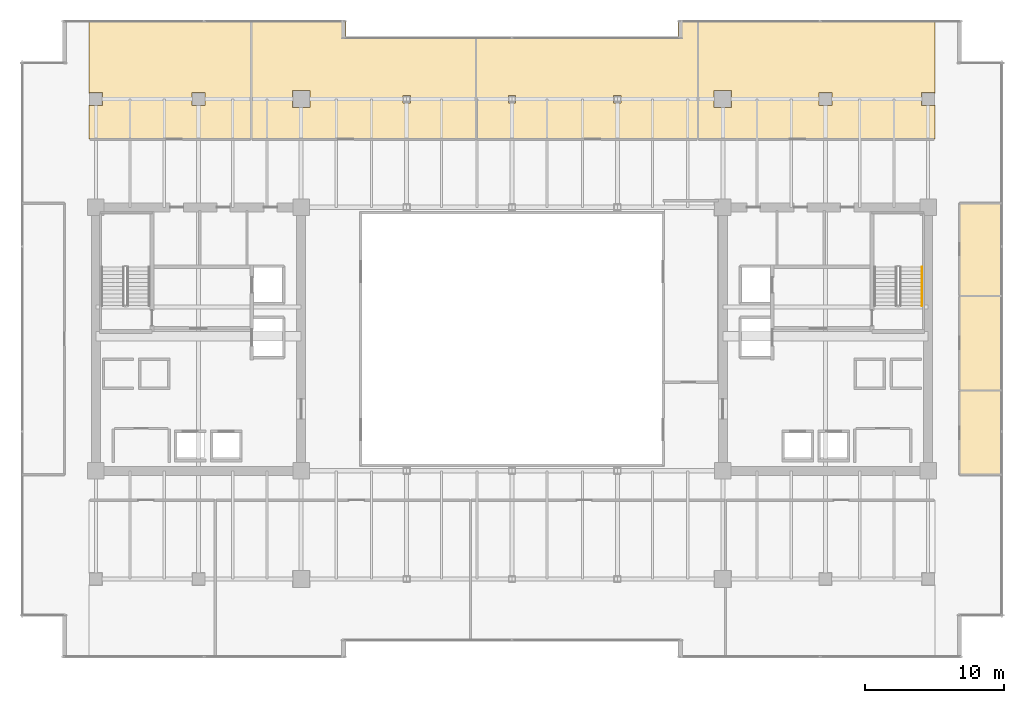
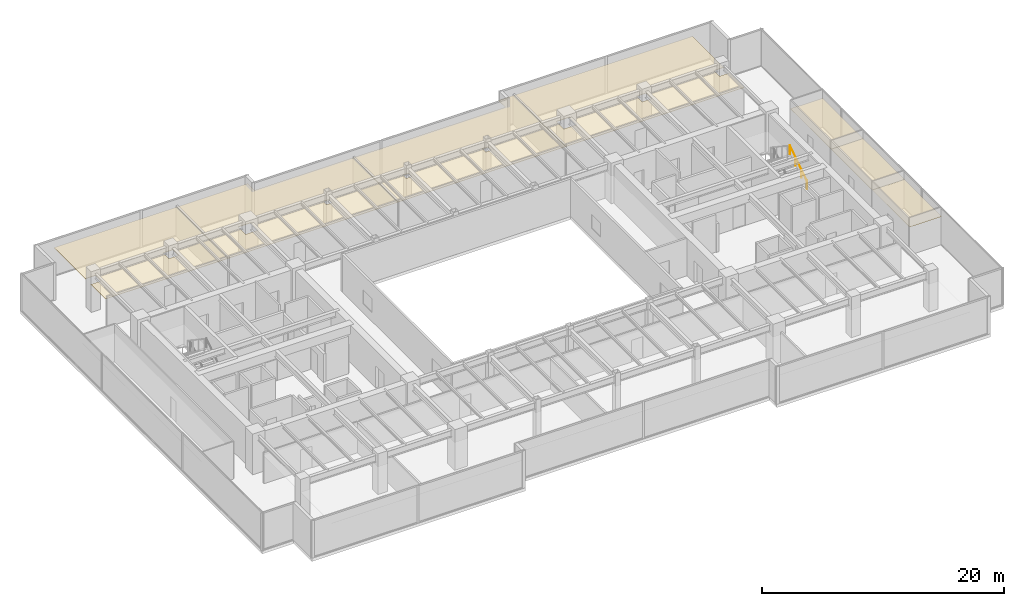
# One storey, part 33 of 33: 7 coverings, 1 railing.
"""IFC4 building model written with IfcOpenShell, lengths in metres."""

from ifc_helpers import new_model, si_unit, direction, frame, origin, origin_2d, place, context, subcontext, project, spatial, polyline, circle, outline, extrude, source, transform, mapped, material, layer, layer_set, type_object, type_shapes, element, save


model = new_model("IFC4")

# Units and contexts
model_context = context("Model", 3, precision=1e-05, world=origin(), true_north=direction((0.0, 1.0)))
body_context = subcontext(model_context, "Body", "Model", "MODEL_VIEW")
ifc_project = project(units=[si_unit("LENGTHUNIT", "METRE"), si_unit("AREAUNIT", "SQUARE_METRE"), si_unit("VOLUMEUNIT", "CUBIC_METRE"), si_unit("PLANEANGLEUNIT", "RADIAN"), si_unit("MASSUNIT", "GRAM", prefix="KILO")], contexts=[model_context])

# Site, building, storey
site_placement = place(None, origin())
site = spatial("IfcSite", under=ifc_project, at=site_placement, CompositionType="ELEMENT")
building_placement = place(site_placement, origin())
building = spatial("IfcBuilding", under=site, at=building_placement, Name="Haelvirn Gate Laboratories", CompositionType="ELEMENT")
storey_placement = place(building_placement, frame((0.0, 0.0, 117.39990234375)))
storey = spatial("IfcBuildingStorey", under=building, at=storey_placement, Name="L28", CompositionType="ELEMENT", Elevation=117.39990234375)

# Coverings
ifc_material_1 = material(Name="Micro-perforated acoustic mineral-fibre laboratory ceiling")
ifc_layer = layer(ifc_material_1, 0.0400390625, Name="COV-CEIL-ACT")
ifc_layer_set = layer_set([ifc_layer], Name="Micro-perforated acoustic mineral-fibre laboratory ceiling")
covering_type = type_object("IfcCoveringType", Name="COV-CEIL-ACT", PredefinedType="CEILING", material=ifc_layer_set)
covering_1_placement = place(storey_placement, frame((0.0, 0.0, 2.820068359375)))
element("IfcCovering", 1, at=covering_1_placement, inside=storey, type_object=covering_type, Name="L28 Laboratory Acoustic Ceiling CEIL-SP-L28-N-01", PredefinedType="CEILING", context=body_context, shape_type="SweptSolid", body=[
    extrude(outline(polyline([(6.919921875, 41.18994140625), (6.929931640625, 41.18994140625), (6.929931640625, 41.1298828125), (7.8701171875, 41.1298828125), (7.8701171875, 42.070068359375), (6.929931640625, 42.070068359375), (6.929931640625, 42.010009765625), (6.919921875, 42.010009765625), (6.919921875, 47.25), (18.580078125, 47.25), (18.580078125, 38.715087890625), (6.919921875, 38.715087890625), (6.919921875, 41.18994140625)]), holes=[polyline([(14.330078125, 42.070068359375), (14.330078125, 41.1298828125), (15.27001953125, 41.1298828125), (15.27001953125, 42.070068359375), (14.330078125, 42.070068359375)])]), origin(), (0.0, 0.0, 1.0), 0.0400390625),
])
covering_2_placement = place(storey_placement, frame((0.0, 0.0, 2.820068359375)))
element("IfcCovering", 2, at=covering_2_placement, inside=storey, type_object=covering_type, Name="L28 Laboratory Acoustic Ceiling CEIL-SP-L28-N-02", PredefinedType="CEILING", context=body_context, shape_type="SweptSolid", body=[
    extrude(outline(polyline([(34.780029296875, 38.715087890625), (18.6201171875, 38.715087890625), (18.6201171875, 47.25), (25.419921875, 47.25), (25.419921875, 46.1201171875), (34.780029296875, 46.1201171875), (34.780029296875, 38.715087890625)]), holes=[polyline([(21.580078125, 42.219970703125), (21.580078125, 40.97998046875), (22.820068359375, 40.97998046875), (22.820068359375, 42.219970703125), (21.580078125, 42.219970703125)]), polyline([(30.070068359375, 41.8701171875), (29.530029296875, 41.8701171875), (29.530029296875, 41.330078125), (30.070068359375, 41.330078125), (30.070068359375, 41.8701171875)])]), origin(), (0.0, 0.0, 1.0), 0.0400390625),
])
covering_3_placement = place(storey_placement, frame((0.0, 0.0, 2.820068359375)))
element("IfcCovering", 3, at=covering_3_placement, inside=storey, type_object=covering_type, Name="L28 Laboratory Acoustic Ceiling CEIL-SP-L28-N-03", PredefinedType="CEILING", context=body_context, shape_type="SweptSolid", body=[
    extrude(outline(polyline([(49.3798828125, 47.25), (50.780029296875, 47.25), (50.780029296875, 38.715087890625), (34.820068359375, 38.715087890625), (34.820068359375, 46.1201171875), (49.3798828125, 46.1201171875), (49.3798828125, 47.25)]), holes=[polyline([(37.1298828125, 41.8701171875), (37.1298828125, 41.330078125), (37.669921875, 41.330078125), (37.669921875, 41.8701171875), (37.1298828125, 41.8701171875)]), polyline([(45.27001953125, 41.8701171875), (44.72998046875, 41.8701171875), (44.72998046875, 41.330078125), (45.27001953125, 41.330078125), (45.27001953125, 41.8701171875)])]), origin(), (0.0, 0.0, 1.0), 0.0400390625),
])
covering_4_placement = place(storey_placement, frame((0.0, 0.0, 2.820068359375)))
element("IfcCovering", 4, at=covering_4_placement, inside=storey, type_object=covering_type, Name="L28 Laboratory Acoustic Ceiling CEIL-SP-L28-N-04", PredefinedType="CEILING", context=body_context, shape_type="SweptSolid", body=[
    extrude(outline(polyline([(67.8798828125, 38.715087890625), (50.820068359375, 38.715087890625), (50.820068359375, 47.25), (67.8798828125, 47.25), (67.8798828125, 42.010009765625), (67.8701171875, 42.010009765625), (67.8701171875, 42.070068359375), (66.929931640625, 42.070068359375), (66.929931640625, 41.1298828125), (67.8701171875, 41.1298828125), (67.8701171875, 41.18994140625), (67.8798828125, 41.18994140625), (67.8798828125, 38.715087890625)]), holes=[polyline([(51.97998046875, 40.97998046875), (53.219970703125, 40.97998046875), (53.219970703125, 42.219970703125), (51.97998046875, 42.219970703125), (51.97998046875, 40.97998046875)]), polyline([(59.530029296875, 42.070068359375), (59.530029296875, 41.1298828125), (60.469970703125, 41.1298828125), (60.469970703125, 42.070068359375), (59.530029296875, 42.070068359375)])]), origin(), (0.0, 0.0, 1.0), 0.0400390625),
])
covering_5_placement = place(storey_placement, frame((0.0, 0.0, 2.820068359375)))
element("IfcCovering", 5, at=covering_5_placement, inside=storey, type_object=covering_type, Name="L28 Laboratory Acoustic Ceiling CEIL-SP-L28-ECELL-01", PredefinedType="CEILING", context=body_context, shape_type="SweptSolid", body=[
    extrude(outline(polyline([(69.679931640625, 20.60009765625), (72.75, 20.60009765625), (72.75, 14.455078125), (69.679931640625, 14.455078125), (69.679931640625, 20.60009765625)])), origin(), (0.0, 0.0, 1.0), 0.0400390625),
])
covering_6_placement = place(storey_placement, frame((0.0, 0.0, 2.820068359375)))
element("IfcCovering", 6, at=covering_6_placement, inside=storey, type_object=covering_type, Name="L28 Laboratory Acoustic Ceiling CEIL-SP-L28-ECELL-02", PredefinedType="CEILING", context=body_context, shape_type="SweptSolid", body=[
    extrude(outline(polyline([(69.679931640625, 27.39990234375), (72.75, 27.39990234375), (72.75, 20.60009765625), (69.679931640625, 20.60009765625), (69.679931640625, 27.39990234375)])), origin(), (0.0, 0.0, 1.0), 0.0400390625),
])
covering_7_placement = place(storey_placement, frame((0.0, 0.0, 2.820068359375)))
element("IfcCovering", 7, at=covering_7_placement, inside=storey, type_object=covering_type, Name="L28 Laboratory Acoustic Ceiling CEIL-SP-L28-ECELL-03", PredefinedType="CEILING", context=body_context, shape_type="SweptSolid", body=[
    extrude(outline(polyline([(69.679931640625, 34.14501953125), (72.75, 34.14501953125), (72.75, 27.39990234375), (69.679931640625, 27.39990234375), (69.679931640625, 34.14501953125)])), origin(), (0.0, 0.0, 1.0), 0.0400390625),
])

# Railing
ifc_material_2 = material(Name="Brushed stainless steel 316L", Category="steel")
railing_type = type_object("IfcRailingType", Name="RL-HAND-920", PredefinedType="HANDRAIL", material=ifc_material_2)
shared_shape = source(origin(), body_context, "Body", "SweptSolid", [
    extrude(circle(Radius=0.02392578125, at=origin_2d()), frame((0.0, 0.0, 0.8759765625), z_axis=(0.0, 0.832485552168, 0.554046753832), x_axis=(-1.0, 0.0, 0.0)), (0.0, 0.0, 1.0), 3.363525390625),
    extrude(circle(Radius=0.02099609375, at=origin_2d()), origin(), (0.0, 0.0, 1.0), 0.851806640625),
    extrude(circle(Radius=0.02099609375, at=origin_2d()), frame((0.0, 0.933349609375, 0.62109375)), (0.0, 0.0, 1.0), 0.851806640625),
    extrude(circle(Radius=0.02099609375, at=origin_2d()), frame((0.0, 1.86669921875, 1.242431640625)), (0.0, 0.0, 1.0), 0.851806640625),
    extrude(circle(Radius=0.02099609375, at=origin_2d()), frame((0.0, 2.800048828125, 1.863525390625)), (0.0, 0.0, 1.0), 0.851806640625),
])
type_shapes(railing_type, [shared_shape])
railing_placement = place(storey_placement, frame((66.949951171875, 26.699951171875, 0.1865234375)))
element("IfcRailing", 8, at=railing_placement, inside=storey, type_object=railing_type, Name="L28 ST2 stair handrail 1", PredefinedType="HANDRAIL", context=body_context, shape_type="MappedRepresentation", body=[
    mapped(shared_shape, transform((0.0, 0.0, 0.0), scale=1.0)),
])

save(model, "model.ifc")
